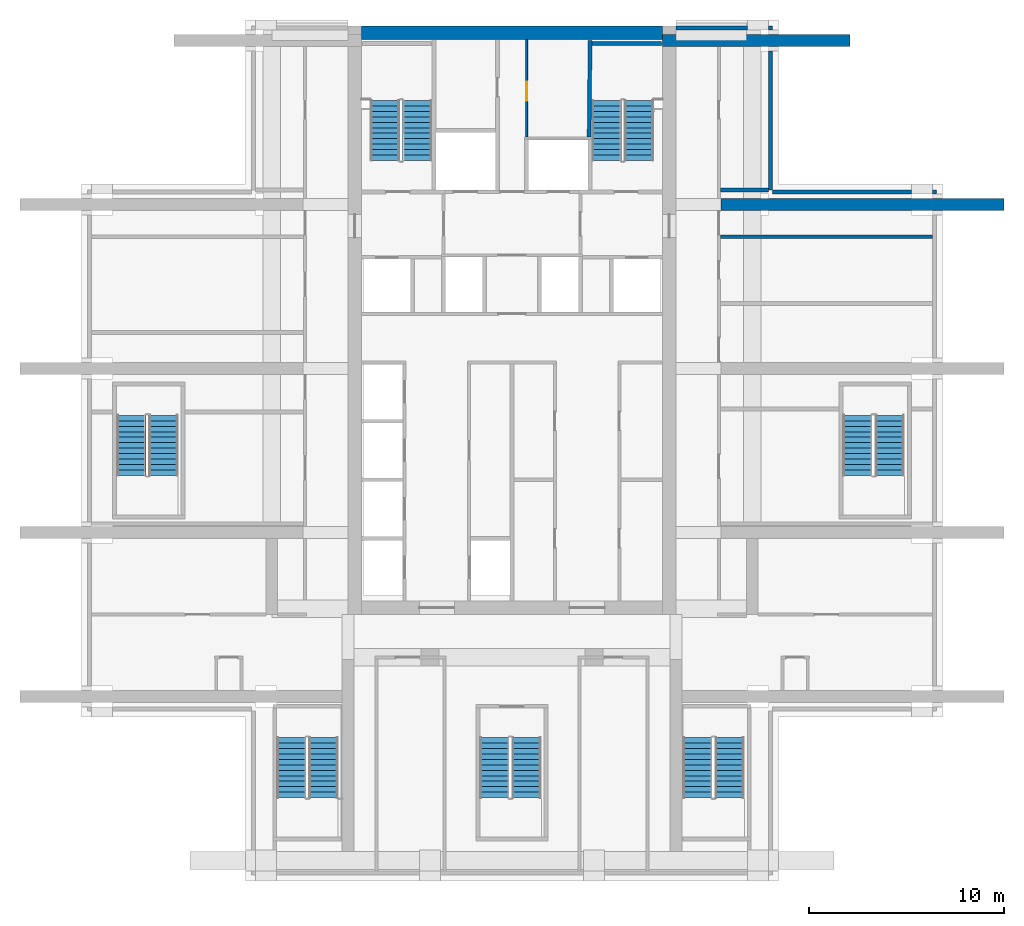
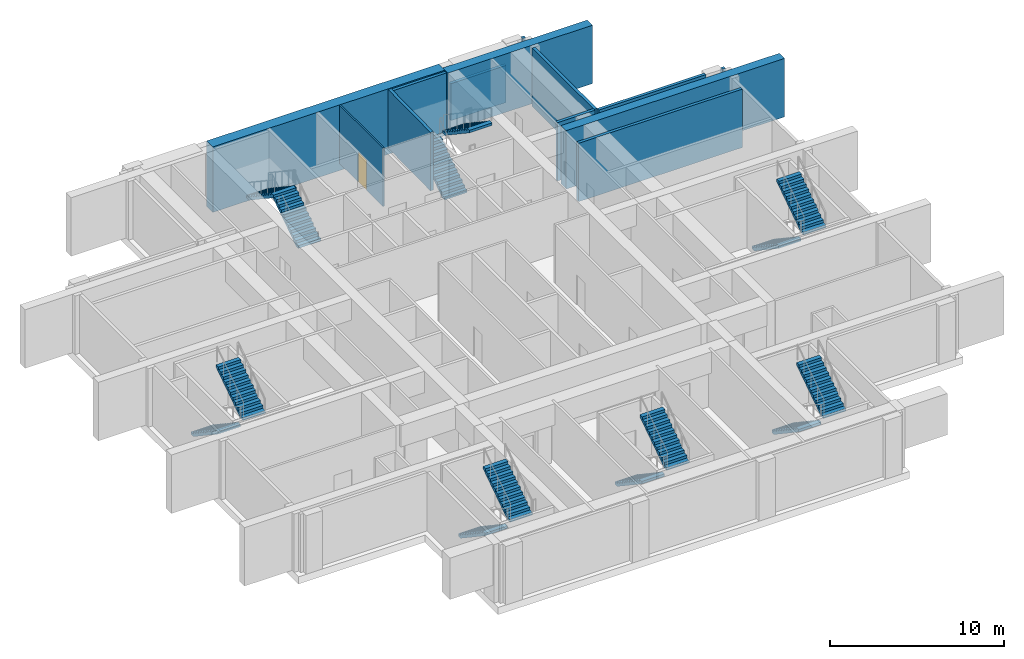
# One storey, part 5 of 10: 14 stair flights, 13 walls, 1 door, 1 opening, 7 elements without a shape of their own.
"""IFC4 building model written with IfcOpenShell, lengths in metres."""

from ifc_helpers import new_model, si_unit, direction, frame, frame_2d, origin, place, context, subcontext, project, spatial, polyline, rectangle, outline, extrude, material, layer, layer_set, type_object, element, fill, aggregate, save


model = new_model("IFC4")

# Units and contexts
model_context = context("Model", 3, precision=1e-05, world=origin(), true_north=direction((0.0, 1.0)))
body_context = subcontext(model_context, "Body", "Model", "MODEL_VIEW")
ifc_project = project(units=[si_unit("LENGTHUNIT", "METRE"), si_unit("AREAUNIT", "SQUARE_METRE"), si_unit("VOLUMEUNIT", "CUBIC_METRE"), si_unit("PLANEANGLEUNIT", "RADIAN"), si_unit("MASSUNIT", "GRAM", prefix="KILO")], contexts=[model_context])

# Site, building, storey
site_placement = place(None, origin())
site = spatial("IfcSite", under=ifc_project, at=site_placement, CompositionType="ELEMENT")
building_placement = place(site_placement, origin())
building = spatial("IfcBuilding", under=site, at=building_placement, Name="Vermilion Ogive Tower", CompositionType="ELEMENT")
storey_placement = place(building_placement, frame((0.0, 0.0, 171.050048828125)))
storey = spatial("IfcBuildingStorey", under=building, at=storey_placement, Name="L44", CompositionType="ELEMENT", Elevation=171.050048828125)

# Walls
ifc_material_1 = material(Name="Concrete B60", Category="concrete")
ifc_layer_1 = layer(ifc_material_1, 0.699951171875)
ifc_layer_set_1 = layer_set([ifc_layer_1], Name="Core wall 700 B60")
wall_type_1 = type_object("IfcWallType", Name="Core wall 700 B60", PredefinedType="SHEAR", material=ifc_layer_set_1)
wall_1_placement = place(storey_placement, frame((-7.699951171875, 21.39990234375, -0.5), z_axis=(0.0, 0.0, 1.0), x_axis=(1.0, 0.0, 0.0)))
element("IfcWall", 1, at=wall_1_placement, inside=storey, type_object=wall_type_1, Name="L44-CORE-N", PredefinedType="SHEAR", context=body_context, shape_type="SweptSolid", body=[
    extrude(rectangle(XDim=15.39990234375, YDim=0.699951171875, at=frame_2d((7.699951171875, 0.0))), origin(), (0.0, 0.0, 1.0), 4.599853515625),
])
ifc_material_2 = material(Name="Concrete B60", Category="concrete")
ifc_layer_2 = layer(ifc_material_2, 0.60009765625)
ifc_layer_set_2 = layer_set([ifc_layer_2], Name="Outrigger wall 600 B60")
wall_type_2 = type_object("IfcWallType", Name="Outrigger wall 600 B60", PredefinedType="SHEAR", material=ifc_layer_set_2)
wall_2_placement = place(storey_placement, frame((10.699951171875, 12.60009765625, 0.0), z_axis=(0.0, 0.0, 1.0), x_axis=(1.0, 0.0, 0.0)))
element("IfcWall", 2, at=wall_2_placement, inside=storey, type_object=wall_type_2, Name="L44-OW-EWE+12.6", PredefinedType="SHEAR", context=body_context, shape_type="SweptSolid", body=[
    extrude(rectangle(XDim=14.5, YDim=0.60009765625, at=frame_2d((7.25, 0.0))), origin(), (0.0, 0.0, 1.0), 4.099853515625),
])

# Wall, opening, door
ifc_material_3 = material(Name="Gypsum board partition on steel studs", Category="steel")
ifc_layer_3 = layer(ifc_material_3, 0.10009765625)
ifc_layer_set_3 = layer_set([ifc_layer_3], Name="Partition 100 bath")
wall_type_3 = type_object("IfcWallType", Name="Partition 100 bath", PredefinedType="PARTITIONING", material=ifc_layer_set_3)
wall_3_placement = place(storey_placement, frame((0.75, 16.050048828125, 0.0), z_axis=(0.0, 0.0, 1.0), x_axis=(0.0, 1.0, 0.0)))
wall_3 = element("IfcWall", 3, at=wall_3_placement, inside=storey, type_object=wall_type_3, Name="L44-CK-W-W029", PredefinedType="PARTITIONING", context=body_context, shape_type="SweptSolid", body=[
    extrude(rectangle(XDim=4.9990234375, YDim=0.10009765625, at=frame_2d((2.49951171875, 0.0))), origin(), (0.0, 0.0, 1.0), 4.099853515625),
])
opening_placement = place(wall_3_placement, frame((1.875, 0.0, 0.0)))
opening = element("IfcOpeningElement", 4, at=opening_placement, cuts=wall_3, Name="Opening DAF034", PredefinedType="OPENING", context=body_context, shape_type="SweptSolid", body=[
    extrude(rectangle(XDim=0.949951171875, YDim=2.10009765625, at=frame_2d((0.47509765625, 1.050048828125))), frame((0.0, 0.06005859375, 0.0), z_axis=(0.0, -1.0, 0.0), x_axis=(1.0, 0.0, 0.0)), (0.0, 0.0, 1.0), 0.1201171875),
])
ifc_material_4 = material(Name="Timber door leaf", Category="wood")
door_type = type_object("IfcDoorType", Name="Service door 950 x 2100 FD60", OperationType="SINGLE_SWING_LEFT", PredefinedType="DOOR", material=ifc_material_4)
door_placement = place(opening_placement, origin())
door = element("IfcDoor", 5, at=door_placement, inside=storey, type_object=door_type, Name="L44-CK-D-D021", OperationType="SINGLE_SWING_LEFT", OverallHeight=2.10009765625, OverallWidth=0.949951171875, PredefinedType="DOOR", context=body_context, shape_type="SweptSolid", body=[
    extrude(rectangle(XDim=0.949951171875, YDim=2.10009765625, at=frame_2d((0.47509765625, 1.050048828125))), frame((0.0, 0.02490234375, 0.0), z_axis=(0.0, -1.0, 0.0), x_axis=(1.0, 0.0, 0.0)), (0.0, 0.0, 1.0), 0.050048828125),
])
fill(opening, door)

# Walls
ifc_material_5 = material(Name="Gypsum board partition on steel studs", Category="steel")
ifc_layer_4 = layer(ifc_material_5, 0.199951171875)
ifc_layer_set_4 = layer_set([ifc_layer_4], Name="Partition 200 party")
wall_type_4 = type_object("IfcWallType", Name="Partition 200 party", PredefinedType="PARTITIONING", material=ifc_layer_set_4)
wall_4_placement = place(storey_placement, frame((10.675048828125, 10.949951171875, 0.0), z_axis=(0.0, 0.0, 1.0), x_axis=(1.0, 0.0, 0.0)))
element("IfcWall", 6, at=wall_4_placement, inside=storey, type_object=wall_type_4, Name="L44-FS-W-W016", PredefinedType="PARTITIONING", context=body_context, shape_type="SweptSolid", body=[
    extrude(rectangle(XDim=10.875, YDim=0.199951171875, at=frame_2d((5.4375, 0.0))), origin(), (0.0, 0.0, 1.0), 4.099853515625),
])
wall_5_placement = place(storey_placement, frame((10.675048828125, 13.35009765625, 0.0), z_axis=(0.0, 0.0, 1.0), x_axis=(1.0, 0.0, 0.0)))
element("IfcWall", 7, at=wall_5_placement, inside=storey, type_object=wall_type_4, Name="L44-FS-W-W018", PredefinedType="PARTITIONING", context=body_context, shape_type="SweptSolid", body=[
    extrude(rectangle(XDim=2.474853515625, YDim=0.199951171875, at=frame_2d((1.2373046875, 0.0))), origin(), (0.0, 0.0, 1.0), 4.099853515625),
])
ifc_material_6 = material(Name="Aluminium louvre panels", Category="aluminium")
ifc_layer_5 = layer(ifc_material_6, 0.199951171875)
ifc_layer_set_5 = layer_set([ifc_layer_5], Name="Plant louvre wall")
wall_type_5 = type_object("IfcWallType", Name="Plant louvre wall", PredefinedType="STANDARD", material=ifc_layer_set_5)
wall_6_placement = place(storey_placement, frame((21.64990234375, 13.14990234375, 0.0), z_axis=(0.0, 0.0, 1.0), x_axis=(0.0, 1.0, 0.0)))
element("IfcWall", 8, at=wall_6_placement, inside=storey, type_object=wall_type_5, Name="Window wall E4", PredefinedType="STANDARD", context=body_context, shape_type="SweptSolid", body=[
    extrude(rectangle(XDim=0.2001953125, YDim=0.199951171875, at=frame_2d((0.10009765625, 0.0))), origin(), (0.0, 0.0, 1.0), 4.099853515625),
])
for number, where, z_axis, x_axis, name in (
    (9, (20.449951171875, 13.25, 0.0), (0.0, 0.0, 1.0), (-1.0, 0.0, 0.0), "Window wall X31"),
    (10, (13.25, 13.35009765625, 0.0), (0.0, 0.0, 1.0), (0.0, 1.0, 0.0), "Window wall X41"),
):
    element("IfcWall", number, at=place(storey_placement, frame(where, z_axis=z_axis, x_axis=x_axis)), inside=storey, type_object=wall_type_5, Name=name, PredefinedType="STANDARD", context=body_context, shape_type="SweptSolid", body=[
        extrude(rectangle(XDim=7.099853515625, YDim=0.199951171875, at=frame_2d((3.5498046875, 0.0))), origin(), (0.0, 0.0, 1.0), 4.099853515625),
    ])
wall_7_placement = place(storey_placement, frame((13.25, 21.550048828125, 0.0), z_axis=(0.0, 0.0, 1.0), x_axis=(0.0, 1.0, 0.0)))
element("IfcWall", 11, at=wall_7_placement, inside=storey, type_object=wall_type_5, Name="Window wall X42", PredefinedType="STANDARD", context=body_context, shape_type="SweptSolid", body=[
    extrude(rectangle(XDim=0.199951171875, YDim=0.199951171875, at=frame_2d((0.10009765625, 0.0))), origin(), (0.0, 0.0, 1.0), 4.099853515625),
])
wall_8_placement = place(storey_placement, frame((12.050048828125, 21.64990234375, 0.0), z_axis=(0.0, 0.0, 1.0), x_axis=(-1.0, 0.0, 0.0)))
element("IfcWall", 12, at=wall_8_placement, inside=storey, type_object=wall_type_5, Name="Window wall N11", PredefinedType="STANDARD", context=body_context, shape_type="SweptSolid", body=[
    extrude(rectangle(XDim=3.650146484375, YDim=0.199951171875, at=frame_2d((1.8251953125, 0.0))), origin(), (0.0, 0.0, 1.0), 2.599853515625),
])
ifc_material_7 = material(Name="Concrete B60", Category="concrete")
ifc_layer_6 = layer(ifc_material_7, 0.199951171875)
ifc_layer_set_6 = layer_set([ifc_layer_6], Name="Stair shaft wall 200 Concrete B60")
wall_type_6 = type_object("IfcWallType", Name="Stair shaft wall 200 Concrete B60", PredefinedType="SOLIDWALL", material=ifc_layer_set_6)
wall_9_placement = place(storey_placement, frame((3.949951171875, 16.050048828125, 0.0), z_axis=(0.0, 0.0, 1.0), x_axis=(0.010112452169, 0.999948867848, 0.0)))
element("IfcWall", 13, at=wall_9_placement, inside=storey, type_object=wall_type_6, Name="L44-CK-W-W035", PredefinedType="SOLIDWALL", context=body_context, shape_type="SweptSolid", body=[
    extrude(rectangle(XDim=4.94921875, YDim=0.199951171875, at=frame_2d((2.474609375, 0.0))), origin(), (0.0, 0.0, 1.0), 4.099853515625),
])
wall_10_placement = place(storey_placement, frame((4.10009765625, 20.85009765625, 0.0), z_axis=(0.0, 0.0, 1.0), x_axis=(1.0, 0.0, 0.0)))
element("IfcWall", 14, at=wall_10_placement, inside=storey, type_object=wall_type_6, Name="L44-SW-R019-N1", PredefinedType="SOLIDWALL", context=body_context, shape_type="SweptSolid", body=[
    extrude(rectangle(XDim=3.5498046875, YDim=0.199951171875, at=frame_2d((1.77490234375, 0.0))), origin(), (0.0, 0.0, 1.0), 4.099853515625),
])
ifc_material_8 = material(Name="Concrete B60", Category="concrete")
ifc_layer_7 = layer(ifc_material_8, 0.60009765625)
ifc_layer_set_7 = layer_set([ifc_layer_7], Name="Transfer wall 600 B60")
wall_type_7 = type_object("IfcWallType", Name="Transfer wall 600 B60", PredefinedType="SHEAR", material=ifc_layer_set_7)
wall_11_placement = place(storey_placement, frame((7.699951171875, 21.0, 0.0), z_axis=(0.0, 0.0, 1.0), x_axis=(1.0, 0.0, 0.0)))
element("IfcWall", 15, at=wall_11_placement, inside=storey, type_object=wall_type_7, Name="L44-TW-1b", PredefinedType="SHEAR", context=body_context, shape_type="SweptSolid", body=[
    extrude(rectangle(XDim=9.60009765625, YDim=0.60009765625, at=frame_2d((4.800048828125, 0.0))), origin(), (0.0, 0.0, 1.0), 4.099853515625),
])

# Stair, stair flights
ifc_material_9 = material(Name="Concrete B40", Category="concrete")
stair_type = type_object("IfcStairType", Name="Exit stair 1500", PredefinedType="HALF_TURN_STAIR", material=ifc_material_9)
stair_1_placement = place(storey_placement, origin())
stair_1 = element("IfcStair", 16, at=stair_1_placement, inside=storey, type_object=stair_type, Name="L44 Exit Stair ST1", PredefinedType="HALF_TURN_STAIR")
ifc_material_10 = material(Name="Concrete B40", Category="concrete")
stair_flight_type = type_object("IfcStairFlightType", Name="Stair flight 1500", PredefinedType="STRAIGHT", material=ifc_material_10)
stair_flight_1_placement = place(storey_placement, frame((-4.85009765625, 14.85009765625, 0.0), z_axis=(0.0, 0.0, 1.0), x_axis=(0.0, 1.0, 0.0)))
stair_flight_1 = element("IfcStairFlight", 17, at=stair_flight_1_placement, type_object=stair_flight_type, Name="ST1 flight 1", NumberOfRisers=12, NumberOfTreads=11, PredefinedType="STRAIGHT", RiserHeight=0.1875, TreadLength=0.28, context=body_context, shape_type="SweptSolid", body=[
    extrude(outline(polyline([(0.0, 0.0), (0.0, 0.1875), (0.280029296875, 0.1875), (0.280029296875, 0.375), (0.56005859375, 0.375), (0.56005859375, 0.5625), (0.840087890625, 0.5625), (0.840087890625, 0.75), (1.1201171875, 0.75), (1.1201171875, 0.9375), (1.39990234375, 0.9375), (1.39990234375, 1.125), (1.679931640625, 1.125), (1.679931640625, 1.3125), (1.9599609375, 1.3125), (1.9599609375, 1.5), (2.239990234375, 1.5), (2.239990234375, 1.6875), (2.52001953125, 1.6875), (2.52001953125, 1.875), (2.800048828125, 1.875), (2.800048828125, 2.0625), (3.080078125, 2.0625), (3.080078125, 2.25), (3.080078125, 1.882080078125), (0.26953125, 0.0), (0.0, 0.0)])), frame((0.0, 0.75, 0.0), z_axis=(0.0, -1.0, 0.0), x_axis=(1.0, 0.0, 0.0)), (0.0, 0.0, 1.0), 1.5),
])
stair_flight_2_placement = place(storey_placement, frame((-6.5, 17.929931640625, 2.25), z_axis=(0.0, 0.0, 1.0), x_axis=(0.0, -1.0, 0.0)))
stair_flight_2 = element("IfcStairFlight", 18, at=stair_flight_2_placement, type_object=stair_flight_type, Name="ST1 flight 2", NumberOfRisers=12, NumberOfTreads=11, PredefinedType="STRAIGHT", RiserHeight=0.1875, TreadLength=0.28, context=body_context, shape_type="SweptSolid", body=[
    extrude(outline(polyline([(0.0, 0.0), (0.0, 0.1875), (0.280029296875, 0.1875), (0.280029296875, 0.375), (0.56005859375, 0.375), (0.56005859375, 0.5625), (0.840087890625, 0.5625), (0.840087890625, 0.75), (1.1201171875, 0.75), (1.1201171875, 0.9375), (1.39990234375, 0.9375), (1.39990234375, 1.125), (1.679931640625, 1.125), (1.679931640625, 1.3125), (1.9599609375, 1.3125), (1.9599609375, 1.5), (2.239990234375, 1.5), (2.239990234375, 1.6875), (2.52001953125, 1.6875), (2.52001953125, 1.875), (2.800048828125, 1.875), (2.800048828125, 2.0625), (3.080078125, 2.0625), (3.080078125, 2.25), (3.080078125, 1.882080078125), (0.26953125, 0.0), (0.0, 0.0)])), frame((0.0, 0.75, 0.0), z_axis=(0.0, -1.0, 0.0), x_axis=(1.0, 0.0, 0.0)), (0.0, 0.0, 1.0), 1.5),
])
aggregate(stair_1, [stair_flight_1, stair_flight_2])

stair_2_placement = place(storey_placement, origin())
stair_2 = element("IfcStair", 19, at=stair_2_placement, inside=storey, type_object=stair_type, Name="L44 Exit Stair ST2", PredefinedType="HALF_TURN_STAIR")
stair_flight_3_placement = place(storey_placement, frame((4.85009765625, 14.85009765625, 0.0), z_axis=(0.0, 0.0, 1.0), x_axis=(0.0, 1.0, 0.0)))
stair_flight_3 = element("IfcStairFlight", 20, at=stair_flight_3_placement, type_object=stair_flight_type, Name="ST2 flight 1", NumberOfRisers=12, NumberOfTreads=11, PredefinedType="STRAIGHT", RiserHeight=0.1875, TreadLength=0.28, context=body_context, shape_type="SweptSolid", body=[
    extrude(outline(polyline([(0.0, 0.0), (0.0, 0.1875), (0.280029296875, 0.1875), (0.280029296875, 0.375), (0.56005859375, 0.375), (0.56005859375, 0.5625), (0.840087890625, 0.5625), (0.840087890625, 0.75), (1.1201171875, 0.75), (1.1201171875, 0.9375), (1.39990234375, 0.9375), (1.39990234375, 1.125), (1.679931640625, 1.125), (1.679931640625, 1.3125), (1.9599609375, 1.3125), (1.9599609375, 1.5), (2.239990234375, 1.5), (2.239990234375, 1.6875), (2.52001953125, 1.6875), (2.52001953125, 1.875), (2.800048828125, 1.875), (2.800048828125, 2.0625), (3.080078125, 2.0625), (3.080078125, 2.25), (3.080078125, 1.882080078125), (0.26953125, 0.0), (0.0, 0.0)])), frame((0.0, 0.75, 0.0), z_axis=(0.0, -1.0, 0.0), x_axis=(1.0, 0.0, 0.0)), (0.0, 0.0, 1.0), 1.5),
])
stair_flight_4_placement = place(storey_placement, frame((6.5, 17.929931640625, 2.25), z_axis=(0.0, 0.0, 1.0), x_axis=(0.0, -1.0, 0.0)))
stair_flight_4 = element("IfcStairFlight", 21, at=stair_flight_4_placement, type_object=stair_flight_type, Name="ST2 flight 2", NumberOfRisers=12, NumberOfTreads=11, PredefinedType="STRAIGHT", RiserHeight=0.1875, TreadLength=0.28, context=body_context, shape_type="SweptSolid", body=[
    extrude(outline(polyline([(0.0, 0.0), (0.0, 0.1875), (0.280029296875, 0.1875), (0.280029296875, 0.375), (0.56005859375, 0.375), (0.56005859375, 0.5625), (0.840087890625, 0.5625), (0.840087890625, 0.75), (1.1201171875, 0.75), (1.1201171875, 0.9375), (1.39990234375, 0.9375), (1.39990234375, 1.125), (1.679931640625, 1.125), (1.679931640625, 1.3125), (1.9599609375, 1.3125), (1.9599609375, 1.5), (2.239990234375, 1.5), (2.239990234375, 1.6875), (2.52001953125, 1.6875), (2.52001953125, 1.875), (2.800048828125, 1.875), (2.800048828125, 2.0625), (3.080078125, 2.0625), (3.080078125, 2.25), (3.080078125, 1.882080078125), (0.26953125, 0.0), (0.0, 0.0)])), frame((0.0, 0.75, 0.0), z_axis=(0.0, -1.0, 0.0), x_axis=(1.0, 0.0, 0.0)), (0.0, 0.0, 1.0), 1.5),
])
aggregate(stair_2, [stair_flight_3, stair_flight_4])

stair_3_placement = place(storey_placement, origin())
stair_3 = element("IfcStair", 22, at=stair_3_placement, inside=storey, type_object=stair_type, Name="L44 Exit Stair ST3", PredefinedType="HALF_TURN_STAIR")
stair_flight_5_placement = place(storey_placement, frame((-11.300048828125, -14.699951171875, 0.0), z_axis=(0.0, 0.0, 1.0), x_axis=(0.0, -1.0, 0.0)))
stair_flight_5 = element("IfcStairFlight", 23, at=stair_flight_5_placement, type_object=stair_flight_type, Name="ST3 flight 1", NumberOfRisers=12, NumberOfTreads=11, PredefinedType="STRAIGHT", RiserHeight=0.1875, TreadLength=0.28, context=body_context, shape_type="SweptSolid", body=[
    extrude(outline(polyline([(0.0, 0.0), (0.0, 0.1875), (0.280029296875, 0.1875), (0.280029296875, 0.375), (0.56005859375, 0.375), (0.56005859375, 0.5625), (0.840087890625, 0.5625), (0.840087890625, 0.75), (1.1201171875, 0.75), (1.1201171875, 0.9375), (1.39990234375, 0.9375), (1.39990234375, 1.125), (1.679931640625, 1.125), (1.679931640625, 1.3125), (1.9599609375, 1.3125), (1.9599609375, 1.5), (2.239990234375, 1.5), (2.239990234375, 1.6875), (2.52001953125, 1.6875), (2.52001953125, 1.875), (2.800048828125, 1.875), (2.800048828125, 2.0625), (3.080078125, 2.0625), (3.080078125, 2.25), (3.080078125, 1.882080078125), (0.26953125, 0.0), (0.0, 0.0)])), frame((0.0, 0.75, 0.0), z_axis=(0.0, -1.0, 0.0), x_axis=(1.0, 0.0, 0.0)), (0.0, 0.0, 1.0), 1.5),
])
stair_flight_6_placement = place(storey_placement, frame((-9.64990234375, -17.780029296875, 2.25), z_axis=(0.0, 0.0, 1.0), x_axis=(0.0, 1.0, 0.0)))
stair_flight_6 = element("IfcStairFlight", 24, at=stair_flight_6_placement, type_object=stair_flight_type, Name="ST3 flight 2", NumberOfRisers=12, NumberOfTreads=11, PredefinedType="STRAIGHT", RiserHeight=0.1875, TreadLength=0.28, context=body_context, shape_type="SweptSolid", body=[
    extrude(outline(polyline([(0.0, 0.0), (0.0, 0.1875), (0.280029296875, 0.1875), (0.280029296875, 0.375), (0.56005859375, 0.375), (0.56005859375, 0.5625), (0.840087890625, 0.5625), (0.840087890625, 0.75), (1.1201171875, 0.75), (1.1201171875, 0.9375), (1.39990234375, 0.9375), (1.39990234375, 1.125), (1.679931640625, 1.125), (1.679931640625, 1.3125), (1.9599609375, 1.3125), (1.9599609375, 1.5), (2.239990234375, 1.5), (2.239990234375, 1.6875), (2.52001953125, 1.6875), (2.52001953125, 1.875), (2.800048828125, 1.875), (2.800048828125, 2.0625), (3.080078125, 2.0625), (3.080078125, 2.25), (3.080078125, 1.882080078125), (0.26953125, 0.0), (0.0, 0.0)])), frame((0.0, 0.75, 0.0), z_axis=(0.0, -1.0, 0.0), x_axis=(1.0, 0.0, 0.0)), (0.0, 0.0, 1.0), 1.5),
])
aggregate(stair_3, [stair_flight_5, stair_flight_6])

stair_4_placement = place(storey_placement, origin())
stair_4 = element("IfcStair", 25, at=stair_4_placement, inside=storey, type_object=stair_type, Name="L44 Exit Stair ST4", PredefinedType="HALF_TURN_STAIR")
stair_flight_7_placement = place(storey_placement, frame((-0.89990234375, -14.699951171875, 0.0), z_axis=(0.0, 0.0, 1.0), x_axis=(0.0, -1.0, 0.0)))
stair_flight_7 = element("IfcStairFlight", 26, at=stair_flight_7_placement, type_object=stair_flight_type, Name="ST4 flight 1", NumberOfRisers=12, NumberOfTreads=11, PredefinedType="STRAIGHT", RiserHeight=0.1875, TreadLength=0.28, context=body_context, shape_type="SweptSolid", body=[
    extrude(outline(polyline([(0.0, 0.0), (0.0, 0.1875), (0.280029296875, 0.1875), (0.280029296875, 0.375), (0.56005859375, 0.375), (0.56005859375, 0.5625), (0.840087890625, 0.5625), (0.840087890625, 0.75), (1.1201171875, 0.75), (1.1201171875, 0.9375), (1.39990234375, 0.9375), (1.39990234375, 1.125), (1.679931640625, 1.125), (1.679931640625, 1.3125), (1.9599609375, 1.3125), (1.9599609375, 1.5), (2.239990234375, 1.5), (2.239990234375, 1.6875), (2.52001953125, 1.6875), (2.52001953125, 1.875), (2.800048828125, 1.875), (2.800048828125, 2.0625), (3.080078125, 2.0625), (3.080078125, 2.25), (3.080078125, 1.882080078125), (0.26953125, 0.0), (0.0, 0.0)])), frame((0.0, 0.75, 0.0), z_axis=(0.0, -1.0, 0.0), x_axis=(1.0, 0.0, 0.0)), (0.0, 0.0, 1.0), 1.5),
])
stair_flight_8_placement = place(storey_placement, frame((0.75, -17.780029296875, 2.25), z_axis=(0.0, 0.0, 1.0), x_axis=(0.0, 1.0, 0.0)))
stair_flight_8 = element("IfcStairFlight", 27, at=stair_flight_8_placement, type_object=stair_flight_type, Name="ST4 flight 2", NumberOfRisers=12, NumberOfTreads=11, PredefinedType="STRAIGHT", RiserHeight=0.1875, TreadLength=0.28, context=body_context, shape_type="SweptSolid", body=[
    extrude(outline(polyline([(0.0, 0.0), (0.0, 0.1875), (0.280029296875, 0.1875), (0.280029296875, 0.375), (0.56005859375, 0.375), (0.56005859375, 0.5625), (0.840087890625, 0.5625), (0.840087890625, 0.75), (1.1201171875, 0.75), (1.1201171875, 0.9375), (1.39990234375, 0.9375), (1.39990234375, 1.125), (1.679931640625, 1.125), (1.679931640625, 1.3125), (1.9599609375, 1.3125), (1.9599609375, 1.5), (2.239990234375, 1.5), (2.239990234375, 1.6875), (2.52001953125, 1.6875), (2.52001953125, 1.875), (2.800048828125, 1.875), (2.800048828125, 2.0625), (3.080078125, 2.0625), (3.080078125, 2.25), (3.080078125, 1.882080078125), (0.26953125, 0.0), (0.0, 0.0)])), frame((0.0, 0.75, 0.0), z_axis=(0.0, -1.0, 0.0), x_axis=(1.0, 0.0, 0.0)), (0.0, 0.0, 1.0), 1.5),
])
aggregate(stair_4, [stair_flight_7, stair_flight_8])

stair_5_placement = place(storey_placement, origin())
stair_5 = element("IfcStair", 28, at=stair_5_placement, inside=storey, type_object=stair_type, Name="L44 Exit Stair ST5", PredefinedType="HALF_TURN_STAIR")
stair_flight_9_placement = place(storey_placement, frame((9.5, -14.699951171875, 0.0), z_axis=(0.0, 0.0, 1.0), x_axis=(0.0, -1.0, 0.0)))
stair_flight_9 = element("IfcStairFlight", 29, at=stair_flight_9_placement, type_object=stair_flight_type, Name="ST5 flight 1", NumberOfRisers=12, NumberOfTreads=11, PredefinedType="STRAIGHT", RiserHeight=0.1875, TreadLength=0.28, context=body_context, shape_type="SweptSolid", body=[
    extrude(outline(polyline([(0.0, 0.0), (0.0, 0.1875), (0.280029296875, 0.1875), (0.280029296875, 0.375), (0.56005859375, 0.375), (0.56005859375, 0.5625), (0.840087890625, 0.5625), (0.840087890625, 0.75), (1.1201171875, 0.75), (1.1201171875, 0.9375), (1.39990234375, 0.9375), (1.39990234375, 1.125), (1.679931640625, 1.125), (1.679931640625, 1.3125), (1.9599609375, 1.3125), (1.9599609375, 1.5), (2.239990234375, 1.5), (2.239990234375, 1.6875), (2.52001953125, 1.6875), (2.52001953125, 1.875), (2.800048828125, 1.875), (2.800048828125, 2.0625), (3.080078125, 2.0625), (3.080078125, 2.25), (3.080078125, 1.882080078125), (0.26953125, 0.0), (0.0, 0.0)])), frame((0.0, 0.75, 0.0), z_axis=(0.0, -1.0, 0.0), x_axis=(1.0, 0.0, 0.0)), (0.0, 0.0, 1.0), 1.5),
])
stair_flight_10_placement = place(storey_placement, frame((11.14990234375, -17.780029296875, 2.25), z_axis=(0.0, 0.0, 1.0), x_axis=(0.0, 1.0, 0.0)))
stair_flight_10 = element("IfcStairFlight", 30, at=stair_flight_10_placement, type_object=stair_flight_type, Name="ST5 flight 2", NumberOfRisers=12, NumberOfTreads=11, PredefinedType="STRAIGHT", RiserHeight=0.1875, TreadLength=0.28, context=body_context, shape_type="SweptSolid", body=[
    extrude(outline(polyline([(0.0, 0.0), (0.0, 0.1875), (0.280029296875, 0.1875), (0.280029296875, 0.375), (0.56005859375, 0.375), (0.56005859375, 0.5625), (0.840087890625, 0.5625), (0.840087890625, 0.75), (1.1201171875, 0.75), (1.1201171875, 0.9375), (1.39990234375, 0.9375), (1.39990234375, 1.125), (1.679931640625, 1.125), (1.679931640625, 1.3125), (1.9599609375, 1.3125), (1.9599609375, 1.5), (2.239990234375, 1.5), (2.239990234375, 1.6875), (2.52001953125, 1.6875), (2.52001953125, 1.875), (2.800048828125, 1.875), (2.800048828125, 2.0625), (3.080078125, 2.0625), (3.080078125, 2.25), (3.080078125, 1.882080078125), (0.26953125, 0.0), (0.0, 0.0)])), frame((0.0, 0.75, 0.0), z_axis=(0.0, -1.0, 0.0), x_axis=(1.0, 0.0, 0.0)), (0.0, 0.0, 1.0), 1.5),
])
aggregate(stair_5, [stair_flight_9, stair_flight_10])

stair_6_placement = place(storey_placement, origin())
stair_6 = element("IfcStair", 31, at=stair_6_placement, inside=storey, type_object=stair_type, Name="L44 Exit Stair ST8", PredefinedType="HALF_TURN_STAIR")
stair_flight_11_placement = place(storey_placement, frame((17.699951171875, 1.800048828125, 0.0), z_axis=(0.0, 0.0, 1.0), x_axis=(0.0, -1.0, 0.0)))
stair_flight_11 = element("IfcStairFlight", 32, at=stair_flight_11_placement, type_object=stair_flight_type, Name="ST8 flight 1", NumberOfRisers=12, NumberOfTreads=11, PredefinedType="STRAIGHT", RiserHeight=0.1875, TreadLength=0.28, context=body_context, shape_type="SweptSolid", body=[
    extrude(outline(polyline([(0.0, 0.0), (0.0, 0.1875), (0.280029296875, 0.1875), (0.280029296875, 0.375), (0.56005859375, 0.375), (0.56005859375, 0.5625), (0.840087890625, 0.5625), (0.840087890625, 0.75), (1.1201171875, 0.75), (1.1201171875, 0.9375), (1.39990234375, 0.9375), (1.39990234375, 1.125), (1.679931640625, 1.125), (1.679931640625, 1.3125), (1.9599609375, 1.3125), (1.9599609375, 1.5), (2.239990234375, 1.5), (2.239990234375, 1.6875), (2.52001953125, 1.6875), (2.52001953125, 1.875), (2.800048828125, 1.875), (2.800048828125, 2.0625), (3.080078125, 2.0625), (3.080078125, 2.25), (3.080078125, 1.882080078125), (0.26953125, 0.0), (0.0, 0.0)])), frame((0.0, 0.75, 0.0), z_axis=(0.0, -1.0, 0.0), x_axis=(1.0, 0.0, 0.0)), (0.0, 0.0, 1.0), 1.5),
])
stair_flight_12_placement = place(storey_placement, frame((19.35009765625, -1.280029296875, 2.25), z_axis=(0.0, 0.0, 1.0), x_axis=(0.0, 1.0, 0.0)))
stair_flight_12 = element("IfcStairFlight", 33, at=stair_flight_12_placement, type_object=stair_flight_type, Name="ST8 flight 2", NumberOfRisers=12, NumberOfTreads=11, PredefinedType="STRAIGHT", RiserHeight=0.1875, TreadLength=0.28, context=body_context, shape_type="SweptSolid", body=[
    extrude(outline(polyline([(0.0, 0.0), (0.0, 0.1875), (0.280029296875, 0.1875), (0.280029296875, 0.375), (0.56005859375, 0.375), (0.56005859375, 0.5625), (0.840087890625, 0.5625), (0.840087890625, 0.75), (1.1201171875, 0.75), (1.1201171875, 0.9375), (1.39990234375, 0.9375), (1.39990234375, 1.125), (1.679931640625, 1.125), (1.679931640625, 1.3125), (1.9599609375, 1.3125), (1.9599609375, 1.5), (2.239990234375, 1.5), (2.239990234375, 1.6875), (2.52001953125, 1.6875), (2.52001953125, 1.875), (2.800048828125, 1.875), (2.800048828125, 2.0625), (3.080078125, 2.0625), (3.080078125, 2.25), (3.080078125, 1.882080078125), (0.26953125, 0.0), (0.0, 0.0)])), frame((0.0, 0.75, 0.0), z_axis=(0.0, -1.0, 0.0), x_axis=(1.0, 0.0, 0.0)), (0.0, 0.0, 1.0), 1.5),
])
aggregate(stair_6, [stair_flight_11, stair_flight_12])

stair_7_placement = place(storey_placement, origin())
stair_7 = element("IfcStair", 34, at=stair_7_placement, inside=storey, type_object=stair_type, Name="L44 Exit Stair ST9", PredefinedType="HALF_TURN_STAIR")
stair_flight_13_placement = place(storey_placement, frame((-19.5, 1.800048828125, 0.0), z_axis=(0.0, 0.0, 1.0), x_axis=(0.0, -1.0, 0.0)))
stair_flight_13 = element("IfcStairFlight", 35, at=stair_flight_13_placement, type_object=stair_flight_type, Name="ST9 flight 1", NumberOfRisers=12, NumberOfTreads=11, PredefinedType="STRAIGHT", RiserHeight=0.1875, TreadLength=0.28, context=body_context, shape_type="SweptSolid", body=[
    extrude(outline(polyline([(0.0, 0.0), (0.0, 0.1875), (0.280029296875, 0.1875), (0.280029296875, 0.375), (0.56005859375, 0.375), (0.56005859375, 0.5625), (0.840087890625, 0.5625), (0.840087890625, 0.75), (1.1201171875, 0.75), (1.1201171875, 0.9375), (1.39990234375, 0.9375), (1.39990234375, 1.125), (1.679931640625, 1.125), (1.679931640625, 1.3125), (1.9599609375, 1.3125), (1.9599609375, 1.5), (2.239990234375, 1.5), (2.239990234375, 1.6875), (2.52001953125, 1.6875), (2.52001953125, 1.875), (2.800048828125, 1.875), (2.800048828125, 2.0625), (3.080078125, 2.0625), (3.080078125, 2.25), (3.080078125, 1.882080078125), (0.26953125, 0.0), (0.0, 0.0)])), frame((0.0, 0.75, 0.0), z_axis=(0.0, -1.0, 0.0), x_axis=(1.0, 0.0, 0.0)), (0.0, 0.0, 1.0), 1.5),
])
stair_flight_14_placement = place(storey_placement, frame((-17.85009765625, -1.280029296875, 2.25), z_axis=(0.0, 0.0, 1.0), x_axis=(0.0, 1.0, 0.0)))
stair_flight_14 = element("IfcStairFlight", 36, at=stair_flight_14_placement, type_object=stair_flight_type, Name="ST9 flight 2", NumberOfRisers=12, NumberOfTreads=11, PredefinedType="STRAIGHT", RiserHeight=0.1875, TreadLength=0.28, context=body_context, shape_type="SweptSolid", body=[
    extrude(outline(polyline([(0.0, 0.0), (0.0, 0.1875), (0.280029296875, 0.1875), (0.280029296875, 0.375), (0.56005859375, 0.375), (0.56005859375, 0.5625), (0.840087890625, 0.5625), (0.840087890625, 0.75), (1.1201171875, 0.75), (1.1201171875, 0.9375), (1.39990234375, 0.9375), (1.39990234375, 1.125), (1.679931640625, 1.125), (1.679931640625, 1.3125), (1.9599609375, 1.3125), (1.9599609375, 1.5), (2.239990234375, 1.5), (2.239990234375, 1.6875), (2.52001953125, 1.6875), (2.52001953125, 1.875), (2.800048828125, 1.875), (2.800048828125, 2.0625), (3.080078125, 2.0625), (3.080078125, 2.25), (3.080078125, 1.882080078125), (0.26953125, 0.0), (0.0, 0.0)])), frame((0.0, 0.75, 0.0), z_axis=(0.0, -1.0, 0.0), x_axis=(1.0, 0.0, 0.0)), (0.0, 0.0, 1.0), 1.5),
])
aggregate(stair_7, [stair_flight_13, stair_flight_14])

save(model, "model.ifc")
